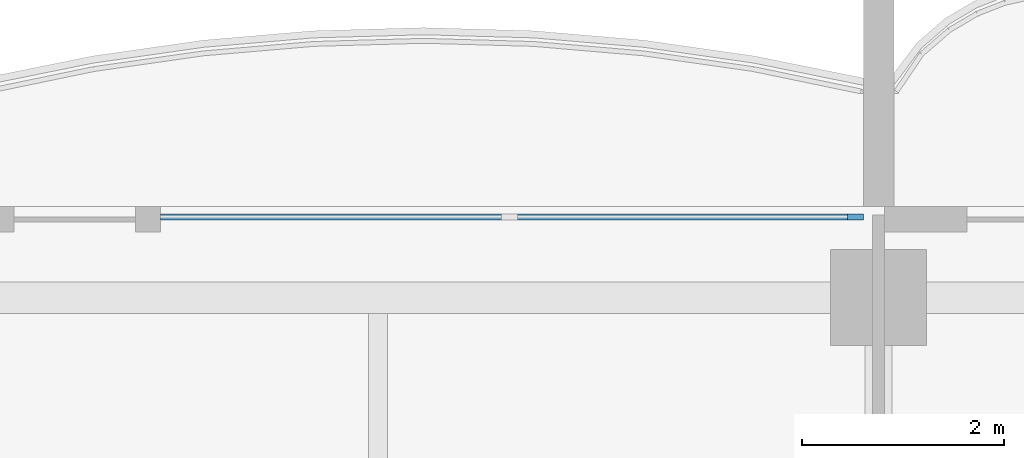
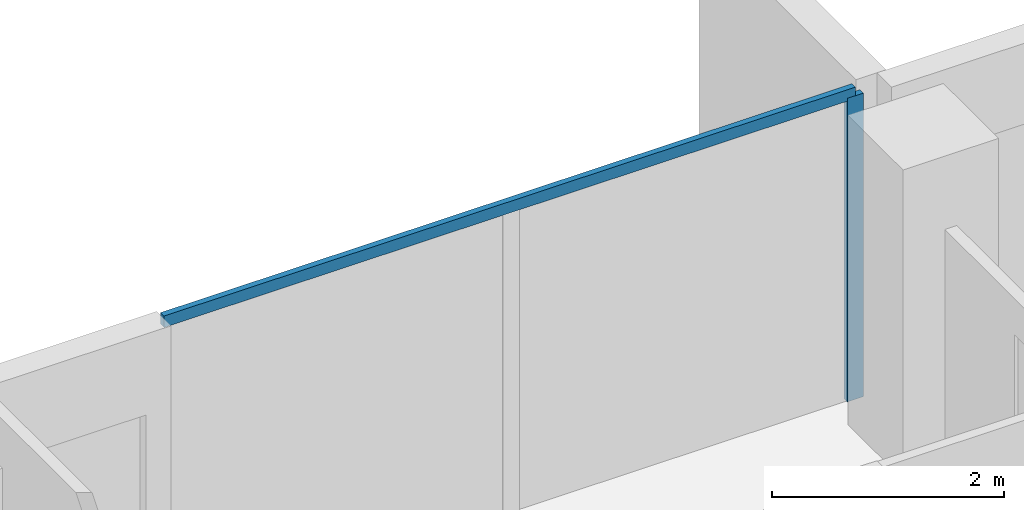
# One storey, part 6 of 17: 2 members, 1 element without a shape of its own.
"""IFC4 building model written with IfcOpenShell, lengths in metres."""

from ifc_helpers import new_model, si_unit, direction, frame, origin, origin_2d, place, context, subcontext, project, spatial, rectangle, extrude, material, material_profile, profile_set, type_object, element, aggregate, save


model = new_model("IFC4")

# Units and contexts
model_context = context("Model", 3, precision=1e-05, world=origin(), true_north=direction((0.0, 1.0)))
body_context = subcontext(model_context, "Body", "Model", "MODEL_VIEW")
ifc_project = project(units=[si_unit("LENGTHUNIT", "METRE"), si_unit("AREAUNIT", "SQUARE_METRE"), si_unit("VOLUMEUNIT", "CUBIC_METRE"), si_unit("PLANEANGLEUNIT", "RADIAN"), si_unit("MASSUNIT", "GRAM", prefix="KILO")], contexts=[model_context])

# Site, building, storey
site_placement = place(None, origin())
site = spatial("IfcSite", under=ifc_project, at=site_placement, CompositionType="ELEMENT")
building_placement = place(site_placement, origin())
building = spatial("IfcBuilding", under=site, at=building_placement, Name="Perihelion Cross Residences", CompositionType="ELEMENT")
storey_placement = place(building_placement, frame((0.0, 0.0, 184.10009765625)))
storey = spatial("IfcBuildingStorey", under=building, at=storey_placement, Name="L45", CompositionType="ELEMENT", Elevation=184.10009765625)

# Curtain wall, members
ifc_material_1 = material(Name="Bronze anodised aluminium, tinted glazing", Category="aluminium")
curtain_wall_type = type_object("IfcCurtainWallType", Name="CW1", PredefinedType="NOTDEFINED", material=ifc_material_1)
curtain_wall_placement = place(storey_placement, origin())
curtain_wall = element("IfcCurtainWall", 1, at=curtain_wall_placement, inside=storey, type_object=curtain_wall_type, Name="Curtain wall CW1 L45 east side north bay 2", PredefinedType="NOTDEFINED")
ifc_material_2 = material(Name="Bronze anodised aluminium", Category="aluminium")
ifc_material_profile_1 = material_profile(ifc_material_2, rectangle(XDim=0.06005859375, YDim=0.159912109375, at=origin_2d()), Name="CW1 mullion")
ifc_profile_set_1 = profile_set([ifc_material_profile_1], Name="Bronze anodised aluminium")
member_type_1 = type_object("IfcMemberType", Name="CW1 mullion", PredefinedType="MULLION", material=ifc_profile_set_1)
member_1_placement = place(storey_placement, frame((17.77001953125, 8.89990234375, 0.0), z_axis=(0.0, 0.0, 1.0), x_axis=(0.0, -1.0, 0.0)))
member_1 = element("IfcMember", 2, at=member_1_placement, type_object=member_type_1, Name="CW1 mullion 1", PredefinedType="MULLION", context=body_context, shape_type="SweptSolid", body=[
    extrude(rectangle(XDim=0.06005859375, YDim=0.159912109375, at=origin_2d()), origin(), (0.0, 0.0, 1.0), 3.18994140625),
])
ifc_material_3 = material(Name="Bronze anodised aluminium", Category="aluminium")
ifc_material_profile_2 = material_profile(ifc_material_3, rectangle(XDim=0.06005859375, YDim=0.1201171875, at=origin_2d()), Name="CW1 transom")
ifc_profile_set_2 = profile_set([ifc_material_profile_2], Name="Bronze anodised aluminium")
member_type_2 = type_object("IfcMemberType", Name="CW1 transom", PredefinedType="USERDEFINED", material=ifc_profile_set_2)
member_2_placement = place(storey_placement, frame((17.77001953125, 8.89990234375, 3.219970703125), z_axis=(-1.0, 0.0, 0.0), x_axis=(0.0, -1.0, 0.0)))
member_2 = element("IfcMember", 3, at=member_2_placement, type_object=member_type_2, Name="CW1 head transom", ObjectType="TRANSOM", PredefinedType="USERDEFINED", context=body_context, shape_type="SweptSolid", body=[
    extrude(rectangle(XDim=0.06005859375, YDim=0.1201171875, at=origin_2d()), origin(), (0.0, 0.0, 1.0), 6.8701171875),
])
aggregate(curtain_wall, [member_1, member_2])

save(model, "model.ifc")
